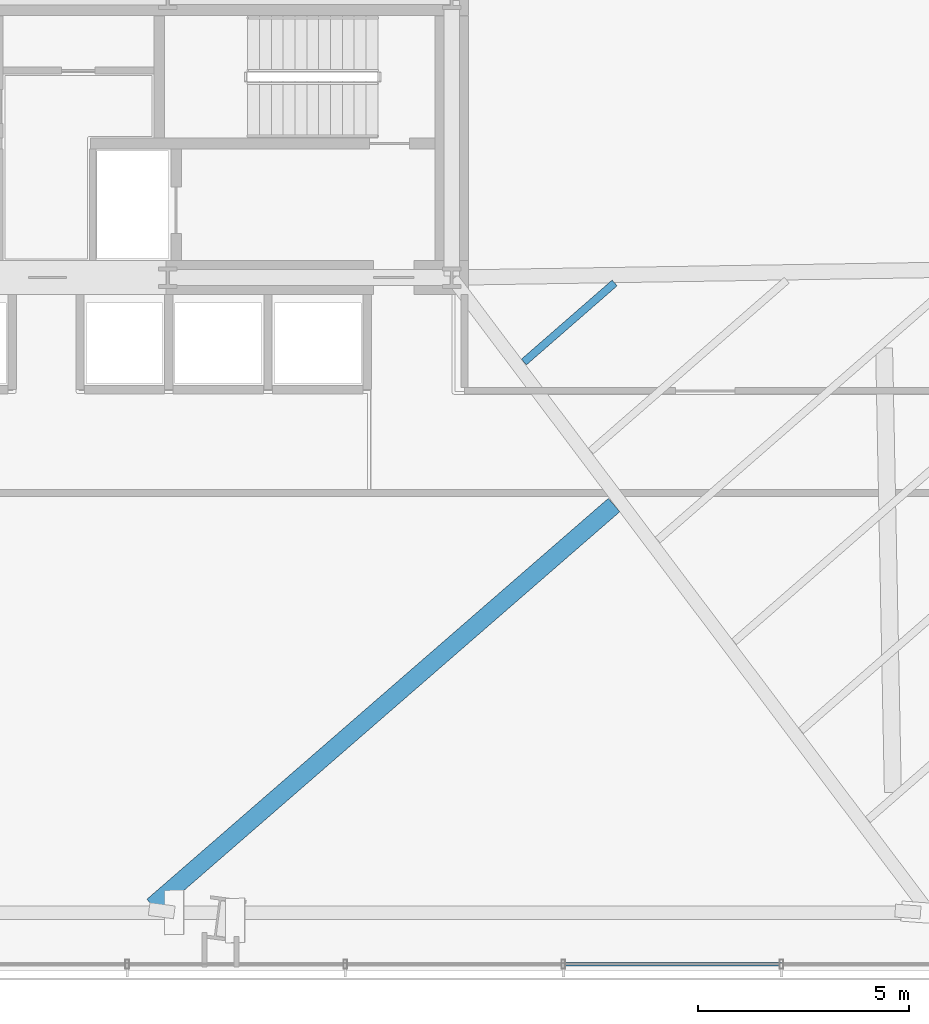
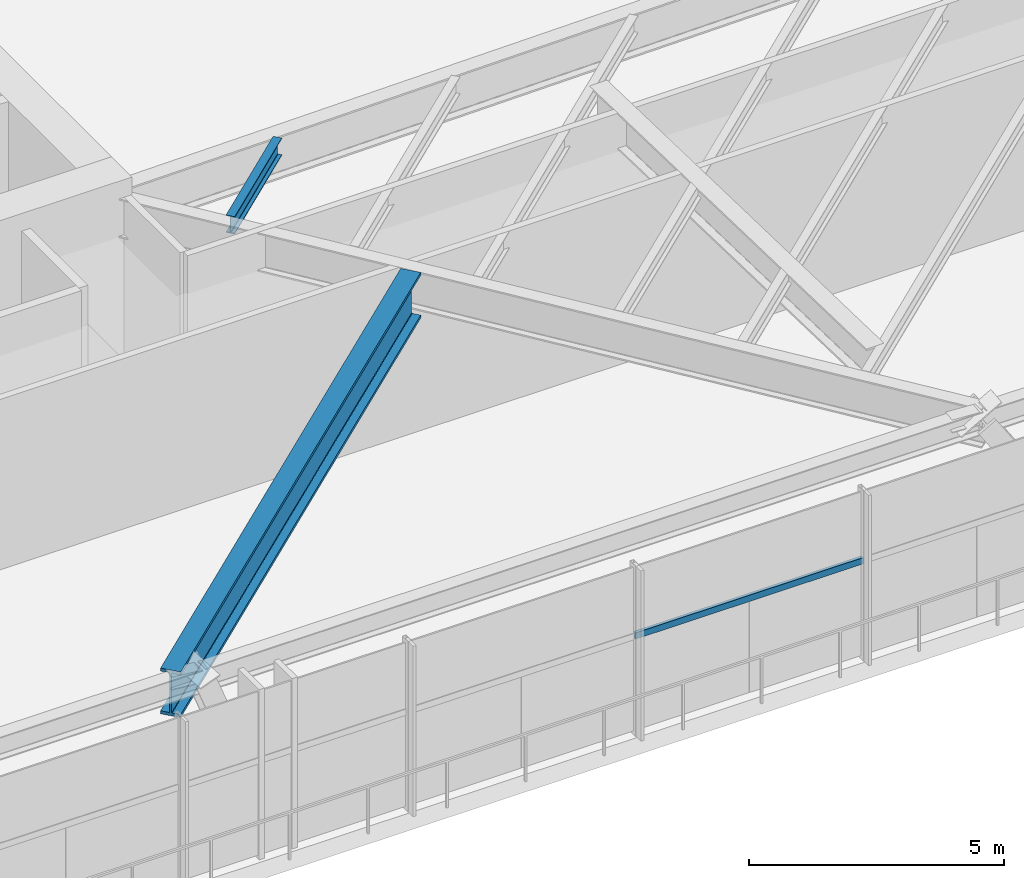
# One storey, part 13 of 36: 2 beams, 1 member, 1 element without a shape of its own.
"""IFC4 building model written with IfcOpenShell, lengths in metres."""

from ifc_helpers import new_model, si_unit, direction, frame, origin, origin_2d, place, context, subcontext, project, spatial, hollow_rectangle, i_section, extrude, source, transform, mapped, material, material_profile, profile_set, type_object, type_shapes, element, aggregate, save


model = new_model("IFC4")

# Units and contexts
model_context = context("Model", 3, precision=1e-05, world=origin(), true_north=direction((0.0, 1.0)))
body_context = subcontext(model_context, "Body", "Model", "MODEL_VIEW")
ifc_project = project(units=[si_unit("LENGTHUNIT", "METRE"), si_unit("AREAUNIT", "SQUARE_METRE"), si_unit("VOLUMEUNIT", "CUBIC_METRE"), si_unit("PLANEANGLEUNIT", "RADIAN"), si_unit("MASSUNIT", "GRAM", prefix="KILO")], contexts=[model_context])

# Site, building, storey
site_placement = place(None, origin())
site = spatial("IfcSite", under=ifc_project, at=site_placement, CompositionType="ELEMENT")
building_placement = place(site_placement, origin())
building = spatial("IfcBuilding", under=site, at=building_placement, Name="Astriad Promenade Condominiums", CompositionType="ELEMENT")
storey_placement = place(building_placement, frame((0.0, 0.0, 5.0)))
storey = spatial("IfcBuildingStorey", under=building, at=storey_placement, Name="L01", CompositionType="ELEMENT", Elevation=5.0)

# Beams
ifc_material_1 = material(Name="Steel ASTM A992 Grade 50", Category="steel")
ifc_material_profile_1 = material_profile(ifc_material_1, i_section(OverallWidth=0.180908203125, OverallDepth=0.417236328125, WebThickness=0.010986328125, FlangeThickness=0.018310546875, FilletRadius=0.013916015625, at=origin_2d()), Name="W16X57")
ifc_profile_set_1 = profile_set([ifc_material_profile_1], Name="Steel ASTM A992 Grade 50")
beam_type_1 = type_object("IfcBeamType", Name="STEEL FLOOR JOIST W16X57", PredefinedType="JOIST", material=ifc_profile_set_1)
shared_shape_1 = source(origin(), body_context, "Body", "SweptSolid", [
    extrude(i_section(OverallWidth=0.180908203125, OverallDepth=0.417236328125, WebThickness=0.010986328125, FlangeThickness=0.018310546875, FilletRadius=0.013916015625, at=origin_2d()), origin(), (0.0, 0.0, 1.0), 2.84912109375),
])
type_shapes(beam_type_1, [shared_shape_1])
beam_1_placement = place(storey_placement, frame((47.307373046875, 15.402099609375, 3.871337890625), z_axis=(0.753822791433, 0.657077772503, 0.0), x_axis=(-0.657077772503, 0.753822791433, 0.0)))
element("IfcBeam", 1, at=beam_1_placement, inside=storey, type_object=beam_type_1, Name="Secondary Composite Floor Joist JE1-6-L01", PredefinedType="JOIST", context=body_context, shape_type="MappedRepresentation", body=[
    mapped(shared_shape_1, transform((0.0, 0.0, 0.0), scale=1.0)),
])
ifc_material_profile_2 = material_profile(ifc_material_1, i_section(OverallWidth=0.4169921875, OverallDepth=1.093505859375, WebThickness=0.0390625, FlangeThickness=0.070068359375, FilletRadius=0.025390625, at=origin_2d()), Name="W40X503")
ifc_profile_set_2 = profile_set([ifc_material_profile_2], Name="Steel ASTM A992 Grade 50")
beam_type_2 = type_object("IfcBeamType", Name="STEEL TRANSFER GIRDER W40X503", PredefinedType="BEAM", material=ifc_profile_set_2)
shared_shape_2 = source(origin(), body_context, "Body", "SweptSolid", [
    extrude(i_section(OverallWidth=0.4169921875, OverallDepth=1.093505859375, WebThickness=0.0390625, FlangeThickness=0.070068359375, FilletRadius=0.025390625, at=origin_2d()), origin(), (0.0, 0.0, 1.0), 14.466552734375),
])
type_shapes(beam_type_2, [shared_shape_2])
beam_2_placement = place(storey_placement, frame((49.44189453125, 12.017578125, 3.533203125), z_axis=(-0.7549011858, -0.655838546959, 0.0), x_axis=(0.655838546959, -0.7549011858, 0.0)))
element("IfcBeam", 2, at=beam_2_placement, inside=storey, type_object=beam_type_2, Name="Transfer Splice Carrier TRM-SP-PC03-L01", PredefinedType="BEAM", context=body_context, shape_type="MappedRepresentation", body=[
    mapped(shared_shape_2, transform((0.0, 0.0, 0.0), scale=1.0)),
])

# Curtain wall, member
ifc_material_2 = material(Name="Anodised aluminium Black Dark Glass Unitised", Category="aluminium")
curtain_wall_type = type_object("IfcCurtainWallType", Name="CW-POD-DARK", PredefinedType="USERDEFINED", material=ifc_material_2)
curtain_wall_placement = place(storey_placement, origin())
curtain_wall = element("IfcCurtainWall", 3, at=curtain_wall_placement, inside=storey, type_object=curtain_wall_type, Name="CW-L01-S", ObjectType="UNITISED_CURTAIN_WALL", PredefinedType="USERDEFINED")
ifc_material_3 = material(Name="Anodised aluminium 6063-T6 Black", Category="aluminium")
ifc_material_profile_3 = material_profile(ifc_material_3, hollow_rectangle(XDim=0.074951171875, YDim=0.14990234375, WallThickness=0.004150390625, at=origin_2d()), Name="ALU-TRN-75X150")
ifc_profile_set_3 = profile_set([ifc_material_profile_3], Name="Anodised aluminium 6063-T6 Black")
member_type = type_object("IfcMemberType", Name="TRN-ALU-TRN-75X150", PredefinedType="USERDEFINED", material=ifc_profile_set_3)
shared_shape_3 = source(origin(), body_context, "Body", "SweptSolid", [
    extrude(hollow_rectangle(XDim=0.074951171875, YDim=0.14990234375, WallThickness=0.004150390625, at=origin_2d()), origin(), (0.0, 0.0, 1.0), 5.16162109375),
])
type_shapes(member_type, [shared_shape_3])
member_placement = place(storey_placement, frame((53.40380859375, 1.14990234375, 2.35009765625), z_axis=(-1.0, 0.0, 0.0), x_axis=(0.0, -1.0, 0.0)))
member = element("IfcMember", 4, at=member_placement, type_object=member_type, Name="CW-L01-S-TRN-04-0", ObjectType="TRANSOM", PredefinedType="USERDEFINED", context=body_context, shape_type="MappedRepresentation", body=[
    mapped(shared_shape_3, transform((0.0, 0.0, 0.0), scale=1.0)),
])
aggregate(curtain_wall, [member])

save(model, "model.ifc")
